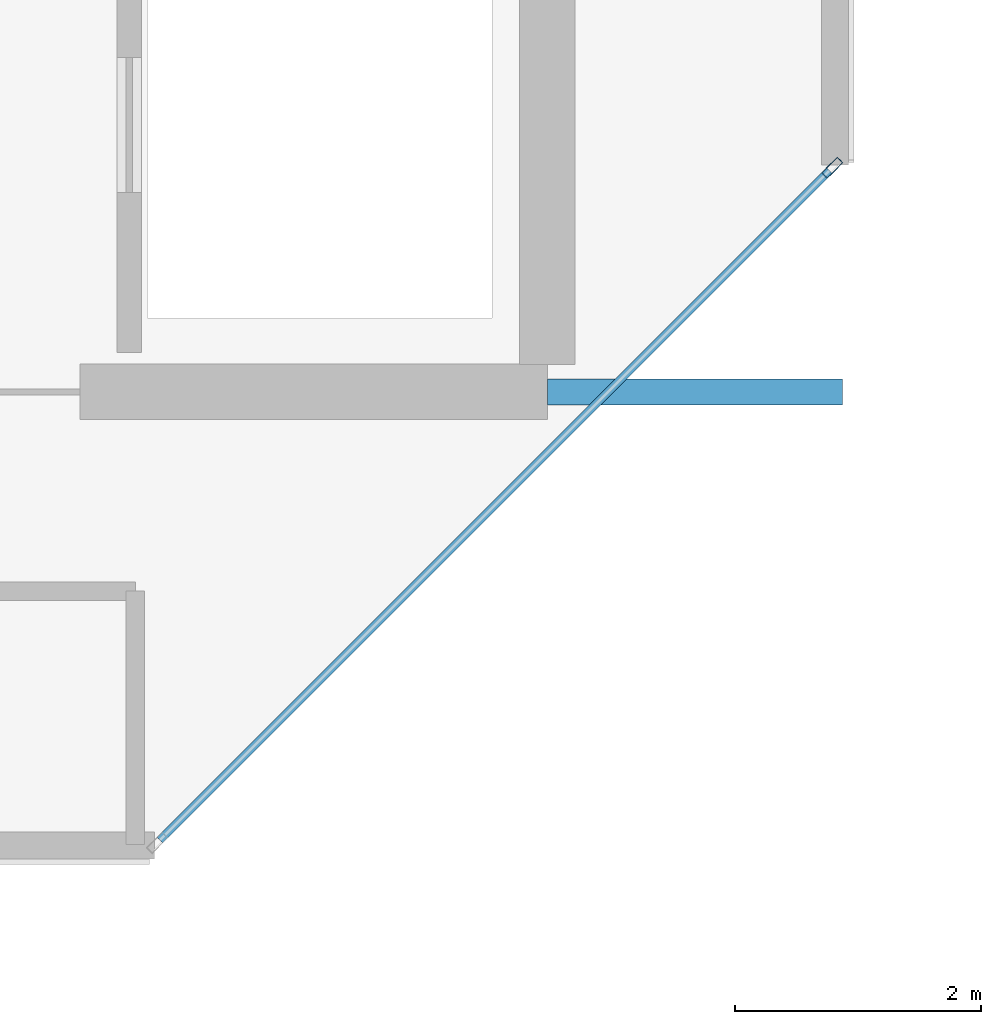
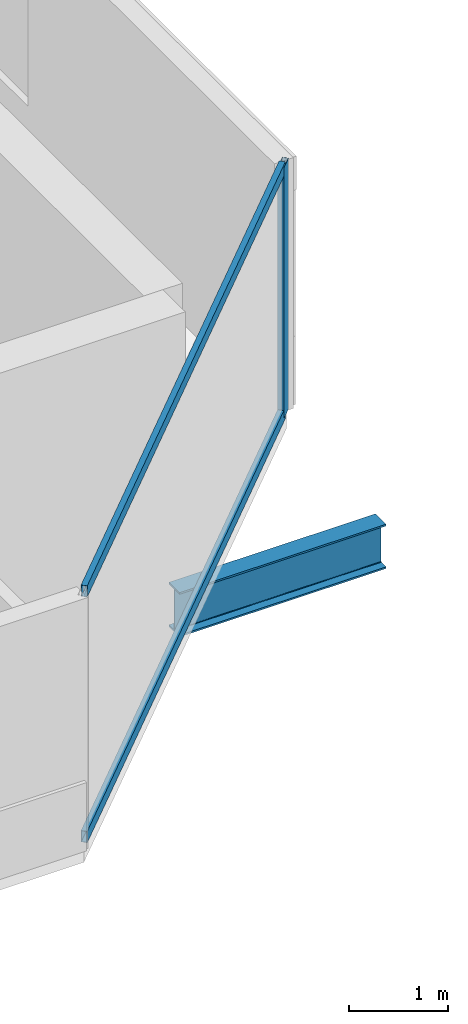
# One storey, part 3 of 29: 3 members, 1 beam, 1 element without a shape of its own.
"""IFC4 building model written with IfcOpenShell, lengths in metres."""

from ifc_helpers import new_model, si_unit, direction, frame, origin, origin_2d, place, context, subcontext, project, spatial, hollow_rectangle, i_section, extrude, material, layer, layer_set, material_profile, profile_set, type_object, element, aggregate, save


model = new_model("IFC4")

# Units and contexts
model_context = context("Model", 3, precision=1e-05, world=origin(), true_north=direction((0.0, 1.0)))
body_context = subcontext(model_context, "Body", "Model", "MODEL_VIEW")
ifc_project = project(units=[si_unit("LENGTHUNIT", "METRE"), si_unit("AREAUNIT", "SQUARE_METRE"), si_unit("VOLUMEUNIT", "CUBIC_METRE"), si_unit("PLANEANGLEUNIT", "RADIAN"), si_unit("MASSUNIT", "GRAM", prefix="KILO")], contexts=[model_context])

# Site, building, storey
site_placement = place(None, origin())
site = spatial("IfcSite", under=ifc_project, at=site_placement, CompositionType="ELEMENT")
building_placement = place(site_placement, origin())
building = spatial("IfcBuilding", under=site, at=building_placement, Name="Tanjung Sevakor Pilgrim Tower", CompositionType="ELEMENT")
storey_placement = place(building_placement, frame((0.0, 0.0, 235.949951171875)))
storey = spatial("IfcBuildingStorey", under=building, at=storey_placement, Name="L66", CompositionType="ELEMENT", Elevation=235.949951171875)

# Beam
ifc_material_1 = material(Name="Steel S355J2", Category="steel")
ifc_material_profile_1 = material_profile(ifc_material_1, i_section(OverallWidth=0.2119140625, OverallDepth=0.54443359375, WebThickness=0.0126953125, FlangeThickness=0.021240234375, FilletRadius=0.0126953125, at=origin_2d()))
ifc_profile_set_1 = profile_set([ifc_material_profile_1], Name="Steel S355J2")
beam_type = type_object("IfcBeamType", Name="BM-B-G5-UB_533x210x122", PredefinedType="BEAM", material=ifc_profile_set_1)
beam_placement = place(storey_placement, frame((36.0, 24.60009765625, -0.4921875), z_axis=(1.0, 0.0, 0.0), x_axis=(0.0, 1.0, 0.0)))
element("IfcBeam", 1, at=beam_placement, inside=storey, type_object=beam_type, Name="L66 West Peak Cantilever Girder 1", PredefinedType="BEAM", context=body_context, shape_type="SweptSolid", body=[
    extrude(i_section(OverallWidth=0.2119140625, OverallDepth=0.54443359375, WebThickness=0.0126953125, FlangeThickness=0.021240234375, FilletRadius=0.0126953125, at=origin_2d()), origin(), (0.0, 0.0, 1.0), 2.39990234375),
])

# Curtain wall, members
ifc_material_2 = material(Name="Aluminium 6063-T6 and Low-E Glass", Category="aluminium")
ifc_layer = layer(ifc_material_2, 0.179931640625)
ifc_layer_set = layer_set([ifc_layer], Name="CW-SYS-CHAM")
curtain_wall_type = type_object("IfcCurtainWallType", Name="CW-SYS-CHAM", PredefinedType="NOTDEFINED", material=ifc_layer_set)
curtain_wall_placement = place(storey_placement, origin())
curtain_wall = element("IfcCurtainWall", 2, at=curtain_wall_placement, inside=storey, type_object=curtain_wall_type, Name="L66 Curtain Wall CW-CHM-L66-WEST-1", PredefinedType="NOTDEFINED")
ifc_material_3 = material(Name="Aluminium 6063-T6", Category="aluminium")
ifc_material_profile_2 = material_profile(ifc_material_3, hollow_rectangle(XDim=0.06494140625, YDim=0.179931640625, WallThickness=0.00390625, at=origin_2d()))
ifc_profile_set_2 = profile_set([ifc_material_profile_2], Name="Aluminium 6063-T6")
member_type_1 = type_object("IfcMemberType", Name="TYPE-CWM-1", PredefinedType="MULLION", material=ifc_profile_set_2)
member_1_placement = place(storey_placement, frame((38.317138671875, 26.422607421875, 0.0), z_axis=(0.0, 0.0, 1.0), x_axis=(-0.707106781187, 0.707106781187, 0.0)))
member_1 = element("IfcMember", 3, at=member_1_placement, type_object=member_type_1, Name="CW-CHM mullion 2", PredefinedType="MULLION", context=body_context, shape_type="SweptSolid", body=[
    extrude(hollow_rectangle(XDim=0.06494140625, YDim=0.179931640625, WallThickness=0.00390625, at=origin_2d()), origin(), (0.0, 0.0, 1.0), 3.080078125),
])
ifc_material_4 = material(Name="Aluminium 6063-T6", Category="aluminium")
ifc_material_profile_3 = material_profile(ifc_material_4, hollow_rectangle(XDim=0.06494140625, YDim=0.139892578125, WallThickness=0.00390625, at=origin_2d()))
ifc_profile_set_3 = profile_set([ifc_material_profile_3], Name="Aluminium 6063-T6")
member_type_2 = type_object("IfcMemberType", Name="TYPE-CWT-1", PredefinedType="USERDEFINED", material=ifc_profile_set_3)
member_2_placement = place(storey_placement, frame((32.850341796875, 20.9560546875, 0.032470703125), z_axis=(0.707106781187, 0.707106781187, 0.0), x_axis=(-0.707106781187, 0.707106781187, 0.0)))
member_2 = element("IfcMember", 4, at=member_2_placement, type_object=member_type_2, Name="CW-CHM transom 1.1", ObjectType="TRANSOM", PredefinedType="USERDEFINED", context=body_context, shape_type="SweptSolid", body=[
    extrude(hollow_rectangle(XDim=0.06494140625, YDim=0.139892578125, WallThickness=0.00390625, at=origin_2d()), origin(), (0.0, 0.0, 1.0), 7.698486328125),
])
member_3_placement = place(storey_placement, frame((32.850341796875, 20.9560546875, 3.047607421875), z_axis=(0.707106781187, 0.707106781187, 0.0), x_axis=(-0.707106781187, 0.707106781187, 0.0)))
member_3 = element("IfcMember", 5, at=member_3_placement, type_object=member_type_2, Name="CW-CHM transom 1.2", ObjectType="TRANSOM", PredefinedType="USERDEFINED", context=body_context, shape_type="SweptSolid", body=[
    extrude(hollow_rectangle(XDim=0.06494140625, YDim=0.139892578125, WallThickness=0.00390625, at=origin_2d()), origin(), (0.0, 0.0, 1.0), 7.698486328125),
])
aggregate(curtain_wall, [member_1, member_2, member_3])

save(model, "model.ifc")
